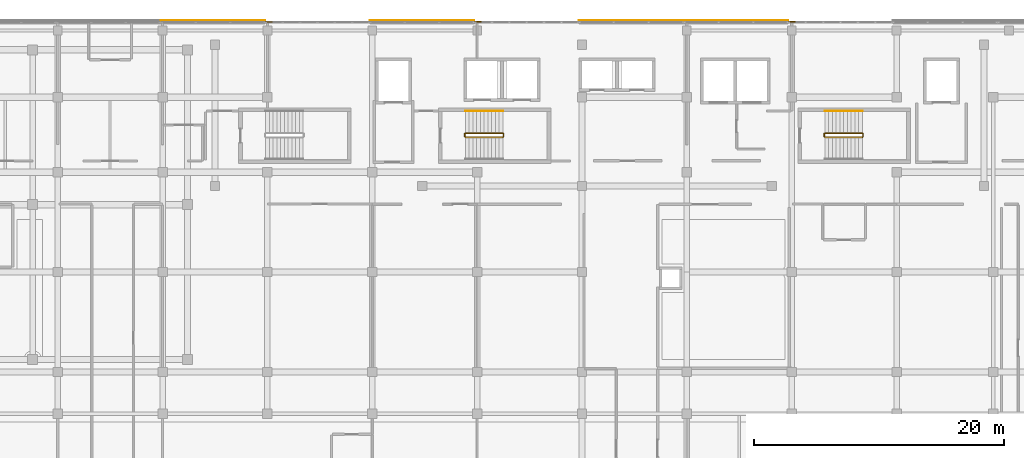
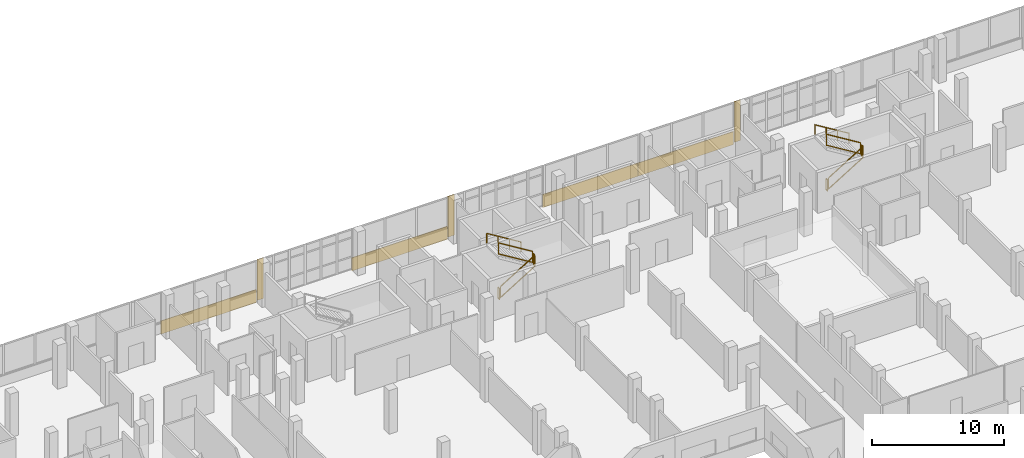
# One storey, part 99 of 101: 10 railings, 7 coverings.
"""IFC4 building model written with IfcOpenShell, lengths in metres."""

from ifc_helpers import new_model, si_unit, direction, frame, origin, origin_2d, place, context, subcontext, project, spatial, rectangle, circle, extrude, material, layer, layer_set, type_object, element, save


model = new_model("IFC4")

# Units and contexts
model_context = context("Model", 3, precision=1e-05, world=origin(), true_north=direction((0.0, 1.0)))
body_context = subcontext(model_context, "Body", "Model", "MODEL_VIEW")
ifc_project = project(units=[si_unit("LENGTHUNIT", "METRE"), si_unit("AREAUNIT", "SQUARE_METRE"), si_unit("VOLUMEUNIT", "CUBIC_METRE"), si_unit("PLANEANGLEUNIT", "RADIAN"), si_unit("MASSUNIT", "GRAM", prefix="KILO")], contexts=[model_context])

# Site, building, storey
site_placement = place(None, origin())
site = spatial("IfcSite", under=ifc_project, at=site_placement, CompositionType="ELEMENT")
building_placement = place(site_placement, origin())
building = spatial("IfcBuilding", under=site, at=building_placement, Name="Selatvlak General Hospital", CompositionType="ELEMENT")
storey_placement = place(building_placement, frame((0.0, 0.0, 19.199951171875)))
storey = spatial("IfcBuildingStorey", under=building, at=storey_placement, Name="L04", CompositionType="ELEMENT", Elevation=19.199951171875)

# Coverings
ifc_material_1 = material(Name="White Bauhaus fair-faced cladding panel")
ifc_layer = layer(ifc_material_1, 0.054931640625, Name="White Bauhaus fair-faced cladding panel")
ifc_layer_set = layer_set([ifc_layer], Name="White Bauhaus fair-faced cladding panel")
covering_type = type_object("IfcCoveringType", Name="COV-WHT1", PredefinedType="CLADDING", material=ifc_layer_set)
covering_1_placement = place(storey_placement, frame((85.6298828125, 120.1640625, -0.27978515625), z_axis=(0.0, 0.0, 1.0), x_axis=(1.0, 0.0, 0.0)))
element("IfcCovering", 1, at=covering_1_placement, inside=storey, type_object=covering_type, Name="L04 Bauhaus horizontal white spandrel band 0307", PredefinedType="CLADDING", context=body_context, shape_type="SweptSolid", body=[
    extrude(rectangle(XDim=8.3798828125, YDim=0.054931640625, at=origin_2d()), origin(), (0.0, 0.0, 1.0), 1.219970703125),
])
covering_2_placement = place(storey_placement, frame((90.094970703125, 120.0439453125, 0.0), z_axis=(0.0, 0.0, 1.0), x_axis=(1.0, 0.0, 0.0)))
element("IfcCovering", 2, at=covering_2_placement, inside=storey, type_object=covering_type, Name="L04 Bauhaus vertical core pilaster 0308", PredefinedType="CLADDING", context=body_context, shape_type="SweptSolid", body=[
    extrude(rectangle(XDim=0.550048828125, YDim=0.054931640625, at=origin_2d()), origin(), (0.0, 0.0, 1.0), 3.77001953125),
])
covering_3_placement = place(storey_placement, frame((102.388916015625, 120.1640625, -0.27978515625), z_axis=(0.0, 0.0, 1.0), x_axis=(0.999999992537, 0.000122173047, 0.0)))
element("IfcCovering", 3, at=covering_3_placement, inside=storey, type_object=covering_type, Name="L04 Bauhaus horizontal white spandrel band 0309", PredefinedType="CLADDING", context=body_context, shape_type="SweptSolid", body=[
    extrude(rectangle(XDim=8.37890625, YDim=0.054931640625, at=origin_2d()), origin(), (0.0, 0.0, 1.0), 1.219970703125),
])
covering_4_placement = place(storey_placement, frame((106.85400390625, 120.044921875, 0.0), z_axis=(0.0, 0.0, 1.0), x_axis=(1.0, 0.0, 0.0)))
element("IfcCovering", 4, at=covering_4_placement, inside=storey, type_object=covering_type, Name="L04 Bauhaus vertical core pilaster 0310", PredefinedType="CLADDING", context=body_context, shape_type="SweptSolid", body=[
    extrude(rectangle(XDim=0.550048828125, YDim=0.054931640625, at=origin_2d()), origin(), (0.0, 0.0, 1.0), 3.77001953125),
])
for number, where, z_axis, x_axis, name in (
    (5, (119.14892578125, 120.1650390625, -0.27978515625), (0.0, 0.0, 1.0), (1.0, 0.0, 0.0), "L04 Bauhaus horizontal white spandrel band 0311"),
    (6, (127.529052734375, 120.1650390625, -0.27978515625), (0.0, 0.0, 1.0), (1.0, 0.0, 0.0), "L04 Bauhaus horizontal white spandrel band 0312"),
):
    element("IfcCovering", number, at=place(storey_placement, frame(where, z_axis=z_axis, x_axis=x_axis)), inside=storey, type_object=covering_type, Name=name, PredefinedType="CLADDING", context=body_context, shape_type="SweptSolid", body=[
        extrude(rectangle(XDim=8.3798828125, YDim=0.054931640625, at=origin_2d()), origin(), (0.0, 0.0, 1.0), 1.219970703125),
    ])
covering_5_placement = place(storey_placement, frame((131.993896484375, 120.044921875, 0.0), z_axis=(0.0, 0.0, 1.0), x_axis=(1.0, 0.0, 0.0)))
element("IfcCovering", 7, at=covering_5_placement, inside=storey, type_object=covering_type, Name="L04 Bauhaus vertical core pilaster 0313", PredefinedType="CLADDING", context=body_context, shape_type="SweptSolid", body=[
    extrude(rectangle(XDim=0.550048828125, YDim=0.054931640625, at=origin_2d()), origin(), (0.0, 0.0, 1.0), 3.77001953125),
])

# Railings
ifc_material_2 = material(Name="Stainless steel 316 stair guard", Category="steel")
railing_type_1 = type_object("IfcRailingType", Name="RAIL-STG", PredefinedType="GUARDRAIL", material=ifc_material_2)
railing_1_placement = place(storey_placement, frame((105.860107421875, 110.81005859375, 0.18408203125)))
element("IfcRailing", 8, at=railing_1_placement, inside=storey, type_object=railing_type_1, Name="L04 ST-03 stair guard 1", PredefinedType="GUARDRAIL", context=body_context, shape_type="SweptSolid", body=[
    extrude(rectangle(XDim=0.068115234375, YDim=0.068115234375, at=origin_2d()), frame((0.00244140625, 0.0, 1.067626953125), z_axis=(0.852303052018, 0.0, 0.52304828412), x_axis=(0.0, 1.0, 0.0)), (0.0, 0.0, 1.0), 3.513916015625),
    extrude(rectangle(XDim=0.068115234375, YDim=0.068115234375, at=origin_2d()), frame((0.00244140625, 0.0, 0.050537109375), z_axis=(0.852303052018, 0.0, 0.52304828412), x_axis=(0.0, 1.0, 0.0)), (0.0, 0.0, 1.0), 3.513916015625),
    extrude(rectangle(XDim=0.055908203125, YDim=0.055908203125, at=origin_2d()), origin(), (0.0, 0.0, 1.0), 1.029052734375),
    extrude(rectangle(XDim=0.055908203125, YDim=0.055908203125, at=origin_2d()), frame((3.0, 0.0, 1.841064453125)), (0.0, 0.0, 1.0), 1.029052734375),
])
railing_2_placement = place(storey_placement, frame((108.909912109375, 110.860107421875, 2.025146484375)))
element("IfcRailing", 9, at=railing_2_placement, inside=storey, type_object=railing_type_1, Name="L04 ST-03 stair guard 2", PredefinedType="GUARDRAIL", context=body_context, shape_type="SweptSolid", body=[
    extrude(rectangle(XDim=0.068115234375, YDim=0.068115234375, at=origin_2d()), frame((0.0, 0.0029296875, 1.06591796875), z_axis=(0.0, 1.0, 0.0), x_axis=(-1.0, 0.0, 0.0)), (0.0, 0.0, 1.0), 0.214111328125),
    extrude(rectangle(XDim=0.068115234375, YDim=0.068115234375, at=origin_2d()), frame((0.0, 0.0029296875, 0.049072265625), z_axis=(0.0, 1.0, 0.0), x_axis=(-1.0, 0.0, 0.0)), (0.0, 0.0, 1.0), 0.214111328125),
    extrude(rectangle(XDim=0.055908203125, YDim=0.055908203125, at=origin_2d()), origin(), (0.0, 0.0, 1.0), 1.029052734375),
    extrude(rectangle(XDim=0.055908203125, YDim=0.055908203125, at=origin_2d()), frame((0.0, 0.219970703125, 0.0)), (0.0, 0.0, 1.0), 1.029052734375),
])
railing_3_placement = place(storey_placement, frame((108.860107421875, 111.1298828125, 2.209228515625)))
element("IfcRailing", 10, at=railing_3_placement, inside=storey, type_object=railing_type_1, Name="L04 ST-03 stair guard 3", PredefinedType="GUARDRAIL", context=body_context, shape_type="SweptSolid", body=[
    extrude(rectangle(XDim=0.068115234375, YDim=0.068115234375, at=origin_2d()), frame((-0.00244140625, 0.0, 1.067626953125), z_axis=(-0.852333972304, 0.0, 0.522997896417), x_axis=(0.0, -1.0, 0.0)), (0.0, 0.0, 1.0), 3.513916015625),
    extrude(rectangle(XDim=0.068115234375, YDim=0.068115234375, at=origin_2d()), frame((-0.00244140625, 0.0, 0.050537109375), z_axis=(-0.852333972304, 0.0, 0.522997896417), x_axis=(0.0, -1.0, 0.0)), (0.0, 0.0, 1.0), 3.513916015625),
    extrude(rectangle(XDim=0.055908203125, YDim=0.055908203125, at=origin_2d()), origin(), (0.0, 0.0, 1.0), 1.029052734375),
    extrude(rectangle(XDim=0.055908203125, YDim=0.055908203125, at=origin_2d()), frame((-3.0, 0.0, 1.8408203125)), (0.0, 0.0, 1.0), 1.029052734375),
])
railing_4_placement = place(storey_placement, frame((105.81005859375, 110.860107421875, 0.0)))
element("IfcRailing", 11, at=railing_4_placement, inside=storey, type_object=railing_type_1, Name="L04 ST-03 stair guard 4", PredefinedType="GUARDRAIL", context=body_context, shape_type="SweptSolid", body=[
    extrude(rectangle(XDim=0.068115234375, YDim=0.068115234375, at=origin_2d()), frame((0.0, 0.0029296875, 1.06591796875), z_axis=(0.0, 1.0, 0.0), x_axis=(-1.0, 0.0, 0.0)), (0.0, 0.0, 1.0), 0.214111328125),
    extrude(rectangle(XDim=0.068115234375, YDim=0.068115234375, at=origin_2d()), frame((0.0, 0.0029296875, 0.049072265625), z_axis=(0.0, 1.0, 0.0), x_axis=(-1.0, 0.0, 0.0)), (0.0, 0.0, 1.0), 0.214111328125),
    extrude(rectangle(XDim=0.055908203125, YDim=0.055908203125, at=origin_2d()), origin(), (0.0, 0.0, 1.0), 1.029052734375),
    extrude(rectangle(XDim=0.055908203125, YDim=0.055908203125, at=origin_2d()), frame((0.0, 0.219970703125, 0.0)), (0.0, 0.0, 1.0), 1.029052734375),
])
railing_5_placement = place(storey_placement, frame((134.659912109375, 110.81005859375, 0.18408203125)))
element("IfcRailing", 12, at=railing_5_placement, inside=storey, type_object=railing_type_1, Name="L04 ST-04 stair guard 1", PredefinedType="GUARDRAIL", context=body_context, shape_type="SweptSolid", body=[
    extrude(rectangle(XDim=0.068115234375, YDim=0.068115234375, at=origin_2d()), frame((0.00244140625, 0.0, 1.067626953125), z_axis=(0.852303052018, 0.0, 0.52304828412), x_axis=(0.0, 1.0, 0.0)), (0.0, 0.0, 1.0), 3.513916015625),
    extrude(rectangle(XDim=0.068115234375, YDim=0.068115234375, at=origin_2d()), frame((0.00244140625, 0.0, 0.050537109375), z_axis=(0.852303052018, 0.0, 0.52304828412), x_axis=(0.0, 1.0, 0.0)), (0.0, 0.0, 1.0), 3.513916015625),
    extrude(rectangle(XDim=0.055908203125, YDim=0.055908203125, at=origin_2d()), origin(), (0.0, 0.0, 1.0), 1.029052734375),
    extrude(rectangle(XDim=0.055908203125, YDim=0.055908203125, at=origin_2d()), frame((3.0, 0.0, 1.841064453125)), (0.0, 0.0, 1.0), 1.029052734375),
])
railing_6_placement = place(storey_placement, frame((137.7099609375, 110.860107421875, 2.025146484375)))
element("IfcRailing", 13, at=railing_6_placement, inside=storey, type_object=railing_type_1, Name="L04 ST-04 stair guard 2", PredefinedType="GUARDRAIL", context=body_context, shape_type="SweptSolid", body=[
    extrude(rectangle(XDim=0.068115234375, YDim=0.068115234375, at=origin_2d()), frame((0.0, 0.0029296875, 1.06591796875), z_axis=(0.0, 1.0, 0.0), x_axis=(-1.0, 0.0, 0.0)), (0.0, 0.0, 1.0), 0.214111328125),
    extrude(rectangle(XDim=0.068115234375, YDim=0.068115234375, at=origin_2d()), frame((0.0, 0.0029296875, 0.049072265625), z_axis=(0.0, 1.0, 0.0), x_axis=(-1.0, 0.0, 0.0)), (0.0, 0.0, 1.0), 0.214111328125),
    extrude(rectangle(XDim=0.055908203125, YDim=0.055908203125, at=origin_2d()), origin(), (0.0, 0.0, 1.0), 1.029052734375),
    extrude(rectangle(XDim=0.055908203125, YDim=0.055908203125, at=origin_2d()), frame((0.0, 0.219970703125, 0.0)), (0.0, 0.0, 1.0), 1.029052734375),
])
railing_7_placement = place(storey_placement, frame((137.659912109375, 111.1298828125, 2.209228515625)))
element("IfcRailing", 14, at=railing_7_placement, inside=storey, type_object=railing_type_1, Name="L04 ST-04 stair guard 3", PredefinedType="GUARDRAIL", context=body_context, shape_type="SweptSolid", body=[
    extrude(rectangle(XDim=0.068115234375, YDim=0.068115234375, at=origin_2d()), frame((-0.00244140625, 0.0, 1.067626953125), z_axis=(-0.852333972304, 0.0, 0.522997896417), x_axis=(0.0, -1.0, 0.0)), (0.0, 0.0, 1.0), 3.513916015625),
    extrude(rectangle(XDim=0.068115234375, YDim=0.068115234375, at=origin_2d()), frame((-0.00244140625, 0.0, 0.050537109375), z_axis=(-0.852333972304, 0.0, 0.522997896417), x_axis=(0.0, -1.0, 0.0)), (0.0, 0.0, 1.0), 3.513916015625),
    extrude(rectangle(XDim=0.055908203125, YDim=0.055908203125, at=origin_2d()), origin(), (0.0, 0.0, 1.0), 1.029052734375),
    extrude(rectangle(XDim=0.055908203125, YDim=0.055908203125, at=origin_2d()), frame((-3.0, 0.0, 1.8408203125)), (0.0, 0.0, 1.0), 1.029052734375),
])
railing_8_placement = place(storey_placement, frame((134.610107421875, 110.860107421875, 0.0)))
element("IfcRailing", 15, at=railing_8_placement, inside=storey, type_object=railing_type_1, Name="L04 ST-04 stair guard 4", PredefinedType="GUARDRAIL", context=body_context, shape_type="SweptSolid", body=[
    extrude(rectangle(XDim=0.068115234375, YDim=0.068115234375, at=origin_2d()), frame((0.0, 0.0029296875, 1.06591796875), z_axis=(0.0, 1.0, 0.0), x_axis=(-1.0, 0.0, 0.0)), (0.0, 0.0, 1.0), 0.214111328125),
    extrude(rectangle(XDim=0.068115234375, YDim=0.068115234375, at=origin_2d()), frame((0.0, 0.0029296875, 0.049072265625), z_axis=(0.0, 1.0, 0.0), x_axis=(-1.0, 0.0, 0.0)), (0.0, 0.0, 1.0), 0.214111328125),
    extrude(rectangle(XDim=0.055908203125, YDim=0.055908203125, at=origin_2d()), origin(), (0.0, 0.0, 1.0), 1.029052734375),
    extrude(rectangle(XDim=0.055908203125, YDim=0.055908203125, at=origin_2d()), frame((0.0, 0.219970703125, 0.0)), (0.0, 0.0, 1.0), 1.029052734375),
])
ifc_material_3 = material(Name="Stainless steel 316 handrail", Category="steel")
railing_type_2 = type_object("IfcRailingType", Name="RAIL-STH", PredefinedType="HANDRAIL", material=ifc_material_3)
for number, where, name in (
    (16, (108.860107421875, 112.889892578125, 2.209228515625), "L04 ST-03 stair handrail 2"),
    (17, (137.659912109375, 112.889892578125, 2.209228515625), "L04 ST-04 stair handrail 2"),
):
    element("IfcRailing", number, at=place(storey_placement, frame(where)), inside=storey, type_object=railing_type_2, Name=name, PredefinedType="HANDRAIL", context=body_context, shape_type="SweptSolid", body=[
        extrude(circle(Radius=0.02392578125, at=origin_2d()), frame((-0.00244140625, 0.0, 0.87744140625), z_axis=(-0.852333972304, 0.0, 0.522997896417), x_axis=(0.0, -1.0, 0.0)), (0.0, 0.0, 1.0), 3.513916015625),
        extrude(circle(Radius=0.02099609375, at=origin_2d()), origin(), (0.0, 0.0, 1.0), 0.848876953125),
        extrude(circle(Radius=0.02099609375, at=origin_2d()), frame((-1.0, 0.0, 0.613525390625)), (0.0, 0.0, 1.0), 0.848876953125),
        extrude(circle(Radius=0.02099609375, at=origin_2d()), frame((-2.0, 0.0, 1.227294921875)), (0.0, 0.0, 1.0), 0.848876953125),
        extrude(circle(Radius=0.02099609375, at=origin_2d()), frame((-3.0, 0.0, 1.8408203125)), (0.0, 0.0, 1.0), 0.848876953125),
    ])

save(model, "model.ifc")
